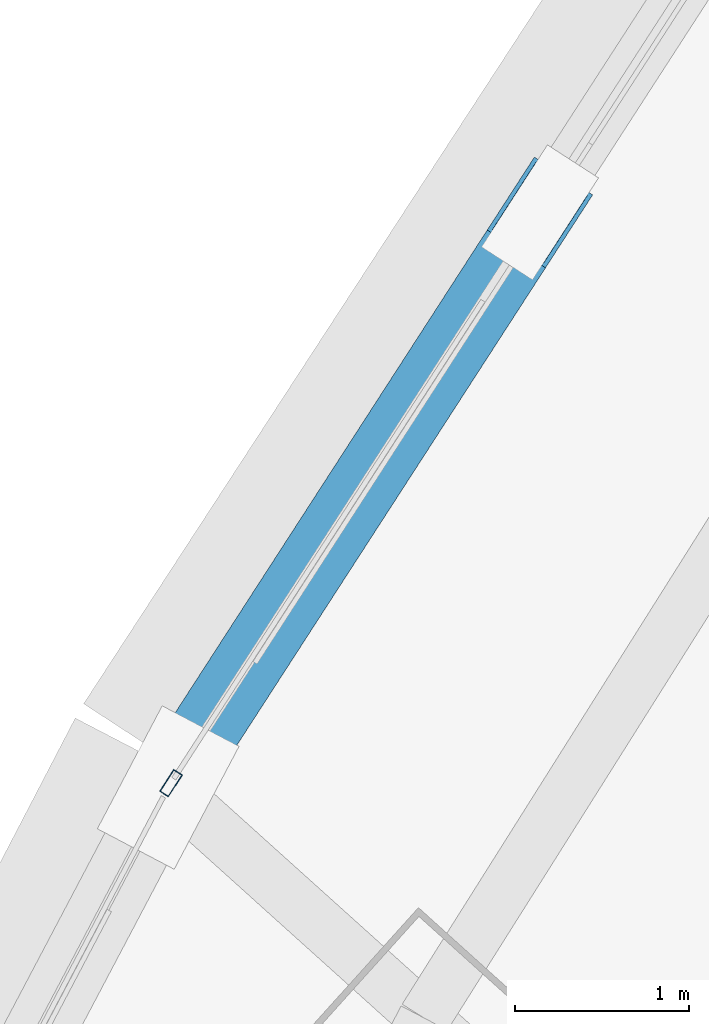
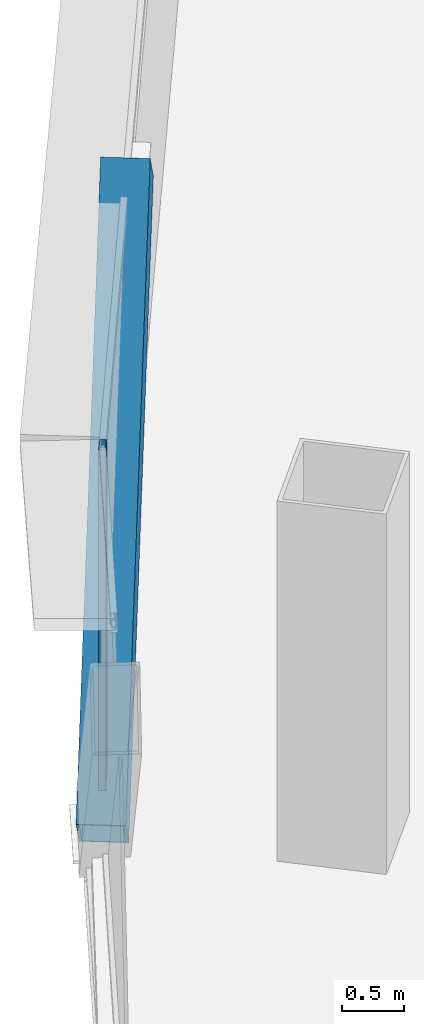
# One storey, part 16 of 37: 2 members, 1 element without a shape of its own.
"""IFC4 building model written with IfcOpenShell, lengths in metres."""

from ifc_helpers import new_model, si_unit, direction, frame, origin, origin_2d, place, context, subcontext, project, spatial, hollow_rectangle, extrude, source, transform, mapped, material, layer, layer_set, material_profile, profile_set, type_object, element, aggregate, save


model = new_model("IFC4")

# Units and contexts
model_context = context("Model", 3, precision=1e-05, world=origin(), true_north=direction((0.0, 1.0)))
body_context = subcontext(model_context, "Body", "Model", "MODEL_VIEW")
ifc_project = project(units=[si_unit("LENGTHUNIT", "METRE"), si_unit("AREAUNIT", "SQUARE_METRE"), si_unit("VOLUMEUNIT", "CUBIC_METRE"), si_unit("PLANEANGLEUNIT", "RADIAN"), si_unit("MASSUNIT", "GRAM", prefix="KILO"), si_unit("THERMODYNAMICTEMPERATUREUNIT", "KELVIN"), si_unit("POWERUNIT", "WATT")], contexts=[model_context])

# Site, building, storey
site_placement = place(None, origin())
site = spatial("IfcSite", under=ifc_project, at=site_placement, CompositionType="ELEMENT")
building_placement = place(site_placement, origin())
building = spatial("IfcBuilding", under=site, at=building_placement, Name="Yunzhuo Pagoda Commons", CompositionType="ELEMENT")
storey_placement = place(building_placement, frame((0.0, 0.0, 192.360107421875)))
storey = spatial("IfcBuildingStorey", under=building, at=storey_placement, Name="L48", CompositionType="ELEMENT", Elevation=192.360107421875)

# Member
ifc_material_1 = material(Name="Structural steel Q355B", Category="steel")
ifc_material_profile_1 = material_profile(ifc_material_1, hollow_rectangle(XDim=0.39990234375, YDim=0.719970703125, WallThickness=0.02392578125, at=origin_2d()), Name="Structural steel Q355B")
ifc_profile_set_1 = profile_set([ifc_material_profile_1], Name="Structural steel Q355B")
member_type_1 = type_object("IfcMemberType", Name="M-DL2 Brace BOX 720x400x24", PredefinedType="BRACE", material=ifc_profile_set_1)
shared_shape_1 = source(origin(), body_context, "Body", "SweptSolid", [
    extrude(hollow_rectangle(XDim=0.39990234375, YDim=0.719970703125, WallThickness=0.02392578125, at=origin_2d()), origin(), (0.0, 0.0, 1.0), 5.474609375),
])
member_1_placement = place(storey_placement, frame((23.875732421875, 55.421630859375, -0.260009765625), z_axis=(0.390830371992, 0.604574093234, 0.694076210599), x_axis=(-0.839801094268, 0.542894208908, 0.0)))
element("IfcMember", 1, at=member_1_placement, inside=storey, type_object=member_type_1, Name="L48 facade diamond brace F3.1R", PredefinedType="BRACE", context=body_context, shape_type="MappedRepresentation", body=[
    mapped(shared_shape_1, transform((0.0, 0.0, 0.0), scale=1.0)),
])

# Curtain wall, member
ifc_material_2 = material(Name="Anodized aluminium 6063-T6", Category="aluminium")
ifc_layer = layer(ifc_material_2, 0.14990234375)
ifc_layer_set = layer_set([ifc_layer], Name="Anodized aluminium 6063-T6")
curtain_wall_type = type_object("IfcCurtainWallType", Name="CW-MID Mid-Zone Ribbon Curtain Wall", PredefinedType="NOTDEFINED", material=ifc_layer_set)
curtain_wall_placement = place(storey_placement, origin())
curtain_wall = element("IfcCurtainWall", 2, at=curtain_wall_placement, inside=storey, type_object=curtain_wall_type, Name="L48 curtain wall CW-L48-F3B2", PredefinedType="NOTDEFINED")
ifc_material_profile_2 = material_profile(ifc_material_2, hollow_rectangle(XDim=0.06005859375, YDim=0.14990234375, WallThickness=0.00390625, at=origin_2d()), Name="Anodized aluminium 6063-T6")
ifc_profile_set_2 = profile_set([ifc_material_profile_2], Name="Anodized aluminium 6063-T6")
member_type_2 = type_object("IfcMemberType", Name="CW-MID-M Mullion RHS 150x60x4", PredefinedType="MULLION", material=ifc_profile_set_2)
shared_shape_2 = source(origin(), body_context, "Body", "SweptSolid", [
    extrude(hollow_rectangle(XDim=0.06005859375, YDim=0.14990234375, WallThickness=0.00390625, at=origin_2d()), origin(), (0.0, 0.0, 1.0), 3.539794921875),
])
member_2_placement = place(storey_placement, frame((23.89208984375, 55.44677734375, 0.0), z_axis=(0.0, 0.0, 1.0), x_axis=(0.839794048542, -0.542905107761, 0.0)))
member_2 = element("IfcMember", 3, at=member_2_placement, type_object=member_type_2, Name="CW mullion 2", PredefinedType="MULLION", context=body_context, shape_type="MappedRepresentation", body=[
    mapped(shared_shape_2, transform((0.0, 0.0, 0.0), scale=1.0)),
])
aggregate(curtain_wall, [member_2])

save(model, "model.ifc")
